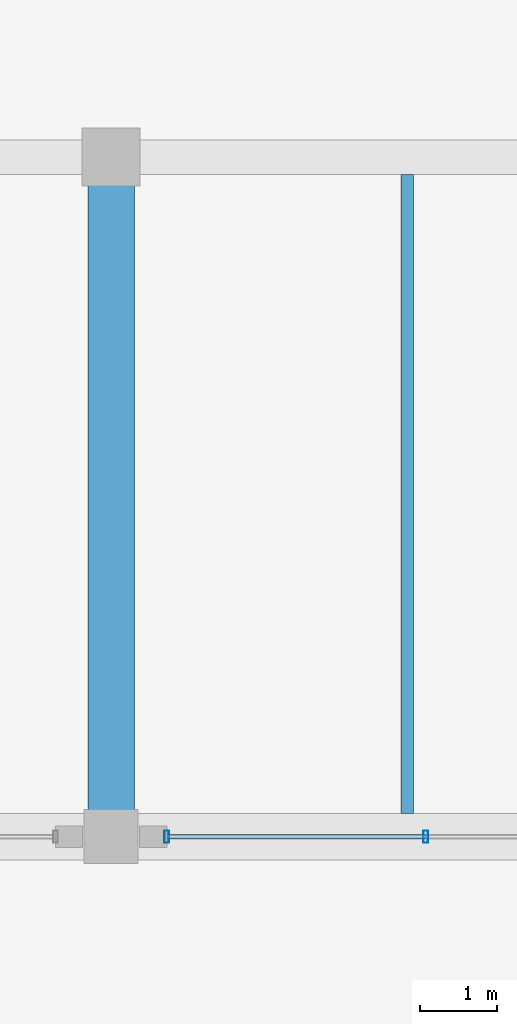
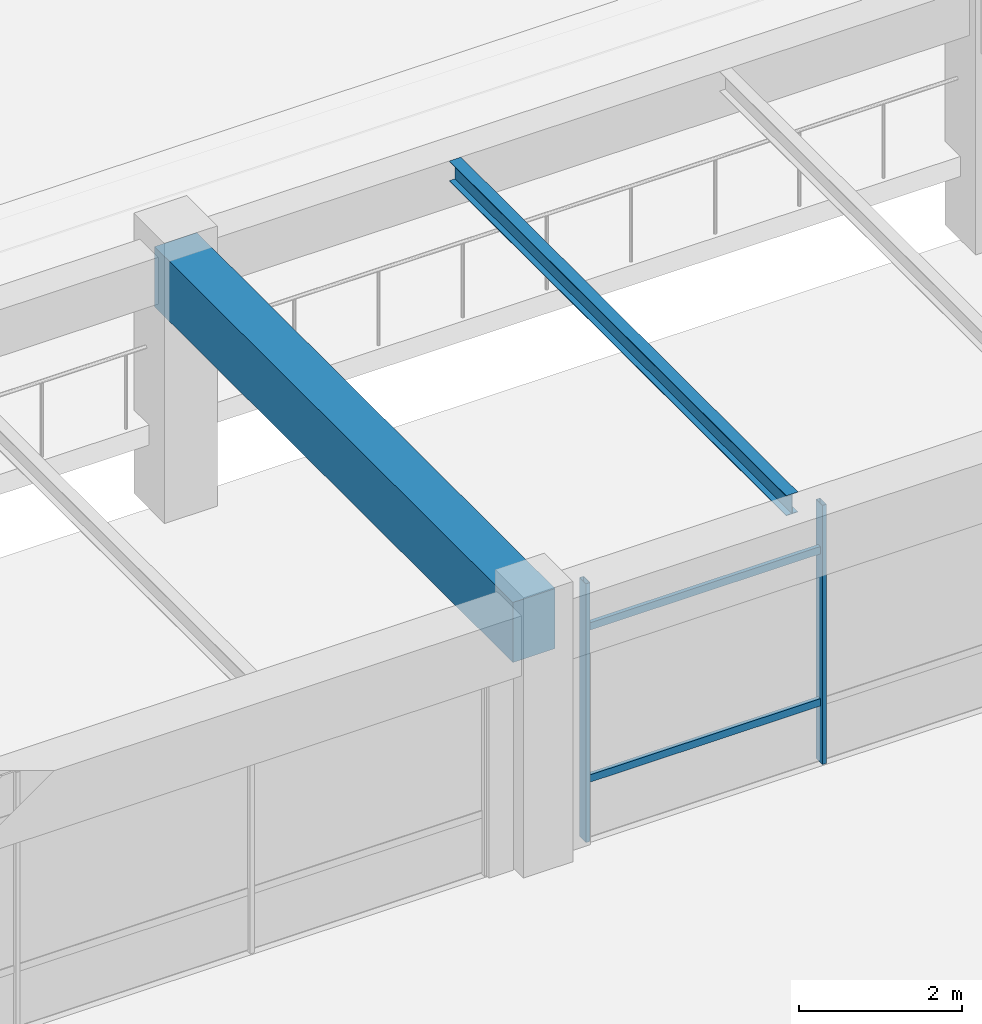
# One storey, part 56 of 109: 4 members, 2 beams, 1 element without a shape of its own.
"""IFC4 building model written with IfcOpenShell, lengths in metres."""

import ifcopenshell
import ifcopenshell.guid

model = None  # the IFC model being written
_history = None  # IfcOwnerHistory: only IFC2X3 demands one
_inside = {}  # id of a spatial element -> (the spatial element, [elements in it])
_under = {}  # id of a project, library or spatial element -> (it, [spatial elements below it])
_declared = {}  # id of a project -> (the project, [libraries it declares])
_typed = {}  # id of a type object -> (the type object, [elements of that type])
_made_of = {}  # id of a material, layer set ... -> (it, [elements and type objects made of it])


def new_model(schema):
    """Start an empty IFC model of exactly this schema.

    Asked for "IFC4X3", IfcOpenShell would pick the latest addendum, in which some entities
    have other attributes; the version numbers below select the first issue.
    IFC2X3 requires an IfcOwnerHistory on every rooted entity: one is made here for all.
    """
    global model, _history
    if schema == "IFC4X3":
        model = ifcopenshell.file(schema_version=(4, 3, 0, 0))
    else:
        model = ifcopenshell.file(schema=schema)
    _inside.clear()
    _under.clear()
    _declared.clear()
    _typed.clear()
    _made_of.clear()
    _history = None
    if model.schema == "IFC2X3":
        org = make("IfcOrganization", Name="unknown")
        user = make(
            "IfcPersonAndOrganization",
            ThePerson=make("IfcPerson", FamilyName="unknown"),
            TheOrganization=org,
        )
        app = make(
            "IfcApplication",
            ApplicationDeveloper=org,
            Version="unknown",
            ApplicationFullName="unknown",
            ApplicationIdentifier="unknown",
        )
        _history = make(
            "IfcOwnerHistory",
            OwningUser=user,
            OwningApplication=app,
            ChangeAction="ADDED",
            CreationDate=0,
        )
    return model


def make(cls, **values):
    """One entity of the class cls with the attributes given. An attribute that is None is left unset."""
    return model.create_entity(
        cls, **{name: value for name, value in values.items() if value is not None}
    )


def rooted(cls, **values):
    """An entity with a GlobalId (a new one), such as an element, a storey or a relation."""
    return make(cls, GlobalId=ifcopenshell.guid.new(), OwnerHistory=_history, **values)


def si_unit(unit_type, name, prefix=None):
    """IfcSIUnit, for example si_unit("LENGTHUNIT", "METRE", prefix="MILLI")."""
    return make("IfcSIUnit", UnitType=unit_type, Prefix=prefix, Name=name)


def assignment(units):
    """IfcUnitAssignment: the units of a project."""
    return None if units is None else make("IfcUnitAssignment", Units=units)


def point(xyz):
    """IfcCartesianPoint."""
    return None if xyz is None else make("IfcCartesianPoint", Coordinates=xyz)


def direction(xyz):
    """IfcDirection."""
    return None if xyz is None else make("IfcDirection", DirectionRatios=xyz)


def frame(location, z_axis=None, x_axis=None):
    """IfcAxis2Placement3D, a coordinate frame: its origin and axes. An axis left out is left unset."""
    return make(
        "IfcAxis2Placement3D",
        Location=point(location),
        Axis=direction(z_axis),
        RefDirection=direction(x_axis),
    )


def frame_2d(location, x_axis=None):
    """IfcAxis2Placement2D, a coordinate frame in the plane: its origin and x axis."""
    return make(
        "IfcAxis2Placement2D", Location=point(location), RefDirection=direction(x_axis)
    )


def origin():
    """The frame at (0, 0, 0) with its axes left unset."""
    return frame((0.0, 0.0, 0.0))


def origin_2d():
    """The frame at (0, 0) in the plane with its x axis left unset."""
    return frame_2d((0.0, 0.0))


def place(relative_to, where):
    """IfcLocalPlacement: puts the frame where relative to a parent placement (None: the world)."""
    return make(
        "IfcLocalPlacement", PlacementRelTo=relative_to, RelativePlacement=where
    )


def context(
    kind, dimensions, precision=None, world=None, true_north=None, identifier=None
):
    """IfcGeometricRepresentationContext, for example the 3D "Model" context."""
    return make(
        "IfcGeometricRepresentationContext",
        ContextIdentifier=identifier,
        ContextType=kind,
        CoordinateSpaceDimension=dimensions,
        Precision=precision,
        WorldCoordinateSystem=world,
        TrueNorth=true_north,
    )


def subcontext(parent, identifier, kind, view, scale=None):
    """IfcGeometricRepresentationSubContext, for example "Body" below "Model"."""
    return make(
        "IfcGeometricRepresentationSubContext",
        ContextIdentifier=identifier,
        ContextType=kind,
        ParentContext=parent,
        TargetScale=scale,
        TargetView=view,
    )


def project(units=None, contexts=None):
    """IfcProject with its units and contexts."""
    return rooted(
        "IfcProject",
        Name="project",
        RepresentationContexts=contexts,
        UnitsInContext=assignment(units),
    )


def spatial(cls, under=None, at=None, **own):
    """A site, building, storey or space (cls), placed at a placement, below another one or the project."""
    s = rooted(cls, ObjectPlacement=at, **own)
    if under is not None:
        _under.setdefault(under.id(), (under, []))[1].append(s)
    return s


def profile(cls, at=None, kind="AREA", **sizes):
    """A parametric profile (cls). Its sizes go by their IFC names, for example OverallWidth=200.0."""
    return make(cls, ProfileType=kind, Position=at, **sizes)


def rectangle(**sizes):
    """IfcRectangleProfileDef."""
    return profile("IfcRectangleProfileDef", **sizes)


def hollow_rectangle(**sizes):
    """IfcRectangleHollowProfileDef."""
    return profile("IfcRectangleHollowProfileDef", **sizes)


def i_section(**sizes):
    """IfcIShapeProfileDef."""
    return profile("IfcIShapeProfileDef", **sizes)


def extrude(swept, where, along, depth):
    """IfcExtrudedAreaSolid: the profile swept, set in the frame where, extruded along a direction by depth."""
    return make(
        "IfcExtrudedAreaSolid",
        SweptArea=swept,
        Position=where,
        ExtrudedDirection=direction(along),
        Depth=depth,
    )


def shape(context_of_items, identifier, shape_type, items):
    """IfcShapeRepresentation: the items that make up one representation, for example the "Body"."""
    return make(
        "IfcShapeRepresentation",
        ContextOfItems=context_of_items,
        RepresentationIdentifier=identifier,
        RepresentationType=shape_type,
        Items=items,
    )


def material(Name=None, Category=None):
    """IfcMaterial."""
    return make("IfcMaterial", Name=Name, Category=Category)


def material_profile(
    of_material, cross_section, Name=None, Category=None, Priority=None
):
    """IfcMaterialProfile: a cross section and its material."""
    return make(
        "IfcMaterialProfile",
        Name=Name,
        Material=of_material,
        Profile=cross_section,
        Priority=Priority,
        Category=Category,
    )


def profile_set(profiles, Name=None, composite=None):
    """IfcMaterialProfileSet."""
    return make(
        "IfcMaterialProfileSet",
        Name=Name,
        MaterialProfiles=profiles,
        CompositeProfile=composite,
    )


def made_of(thing, what):
    """Note that an element or type object is made of a material, layer set ...; save() writes the relation."""
    if what is not None:
        _made_of.setdefault(what.id(), (what, []))[1].append(thing)
    return thing


def type_object(cls, material=None, **own):
    """A type object (cls), such as IfcWallType, which elements share."""
    return made_of(rooted(cls, **own), material)


def element(
    cls,
    number,
    at=None,
    inside=None,
    cuts=None,
    type_object=None,
    material=None,
    context=None,
    identifier="Body",
    shape_type=None,
    held_by="IfcProductDefinitionShape",
    body=None,
    shapes=None,
    **own,
):
    """One element of the class cls, such as IfcWall. Its Tag is "e" and its number.

    at: its placement. inside: the storey or other place that contains it. cuts: it is an
    opening in that element (IfcRelVoidsElement). A single representation is given by context,
    identifier, shape_type and body (its items); several are given by shapes. held_by: the class
    of the entity that holds the representations. save() writes the other relations.
    """
    e = rooted(cls, Tag="e%d" % number, ObjectPlacement=at, **own)
    if body is not None:
        shapes = [shape(context, identifier, shape_type, body)]
    if shapes is not None:
        e.Representation = make(held_by, Representations=shapes)
    if inside is not None:
        _inside.setdefault(inside.id(), (inside, []))[1].append(e)
    if cuts is not None:
        rooted(
            "IfcRelVoidsElement", RelatingBuildingElement=cuts, RelatedOpeningElement=e
        )
    if type_object is not None:
        _typed.setdefault(type_object.id(), (type_object, []))[1].append(e)
    return made_of(e, material)


def aggregate(whole, parts):
    """IfcRelAggregates: a whole, such as a stair, and the parts it consists of."""
    return rooted("IfcRelAggregates", RelatingObject=whole, RelatedObjects=parts)


def save(model, path):
    """Write the relations noted so far, then the file.

    IfcRelAggregates (storeys below a building ...), IfcRelContainedInSpatialStructure (elements
    in a storey), IfcRelDefinesByType, IfcRelAssociatesMaterial and IfcRelDeclares: one each for
    every whole, place, type object, material and project.
    """
    for whole, parts in _under.values():
        aggregate(whole, parts)
    for where, things in _inside.values():
        rooted(
            "IfcRelContainedInSpatialStructure",
            RelatedElements=things,
            RelatingStructure=where,
        )
    for kind, things in _typed.values():
        rooted("IfcRelDefinesByType", RelatedObjects=things, RelatingType=kind)
    for what, things in _made_of.values():
        rooted("IfcRelAssociatesMaterial", RelatedObjects=things, RelatingMaterial=what)
    for by, libraries in _declared.values():
        rooted("IfcRelDeclares", RelatingContext=by, RelatedDefinitions=libraries)
    model.write(path)


model = new_model("IFC4")

# Units and contexts
model_context = context("Model", 3, precision=1e-05, world=origin(), true_north=direction((0.0, 1.0)))
body_context = subcontext(model_context, "Body", "Model", "MODEL_VIEW")
ifc_project = project(units=[si_unit("LENGTHUNIT", "METRE"), si_unit("AREAUNIT", "SQUARE_METRE"), si_unit("VOLUMEUNIT", "CUBIC_METRE"), si_unit("PLANEANGLEUNIT", "RADIAN"), si_unit("MASSUNIT", "GRAM", prefix="KILO")], contexts=[model_context])

# Site, building, storey
site_placement = place(None, origin())
site = spatial("IfcSite", under=ifc_project, at=site_placement, CompositionType="ELEMENT")
building_placement = place(site_placement, origin())
building = spatial("IfcBuilding", under=site, at=building_placement, Name="Ologun Quay Terminus", CompositionType="ELEMENT")
storey_placement = place(building_placement, origin())
storey = spatial("IfcBuildingStorey", under=building, at=storey_placement, Name="L00", CompositionType="ELEMENT", Elevation=0.0)

# Curtain wall, members
ifc_material_1 = material(Name="Aluminium 6063-T6", Category="aluminium")
curtain_wall_type = type_object("IfcCurtainWallType", Name="Forecourt Arcade Curtain Wall 10700x3750", PredefinedType="USERDEFINED", material=ifc_material_1)
curtain_wall_placement = place(storey_placement, origin())
curtain_wall = element("IfcCurtainWall", 1, at=curtain_wall_placement, inside=storey, type_object=curtain_wall_type, Name="CW-03 Curtain Wall CW-L00-008", ObjectType="UNITISED CURTAIN WALL", PredefinedType="USERDEFINED")
ifc_material_2 = material(Name="Aluminium 6063-T6", Category="aluminium")
ifc_material_profile_1 = material_profile(ifc_material_2, hollow_rectangle(XDim=0.06005859375, YDim=0.159912109375, WallThickness=0.00390625, at=origin_2d()), Name="ALU 160x60x4")
ifc_profile_set_1 = profile_set([ifc_material_profile_1], Name="Aluminium 6063-T6")
member_type_1 = type_object("IfcMemberType", Name="Curtain Wall Standard Mullion 160x65", PredefinedType="MULLION", material=ifc_profile_set_1)
member_1_placement = place(storey_placement, frame((138.719970703125, 27.199951171875, 0.0), z_axis=(0.0, 0.0, 1.0), x_axis=(1.0, 0.0, 0.0)))
member_1 = element("IfcMember", 2, at=member_1_placement, type_object=member_type_1, Name="CW-L00-008 Mullion 1", PredefinedType="MULLION", context=body_context, shape_type="SweptSolid", body=[
    extrude(hollow_rectangle(XDim=0.06005859375, YDim=0.159912109375, WallThickness=0.00390625, at=origin_2d()), origin(), (0.0, 0.0, 1.0), 3.8798828125),
])
member_2_placement = place(storey_placement, frame((142.0732421875, 27.199951171875, 0.0), z_axis=(0.0, 0.0, 1.0), x_axis=(1.0, 0.0, 0.0)))
member_2 = element("IfcMember", 3, at=member_2_placement, type_object=member_type_1, Name="CW-L00-008 Mullion 2", PredefinedType="MULLION", context=body_context, shape_type="SweptSolid", body=[
    extrude(hollow_rectangle(XDim=0.06005859375, YDim=0.159912109375, WallThickness=0.00390625, at=origin_2d()), origin(), (0.0, 0.0, 1.0), 3.8798828125),
])
ifc_material_3 = material(Name="Aluminium 6063-T6", Category="aluminium")
ifc_material_profile_2 = material_profile(ifc_material_3, hollow_rectangle(XDim=0.054931640625, YDim=0.110107421875, WallThickness=0.00390625, at=origin_2d()), Name="ALU 110x55x4")
ifc_profile_set_2 = profile_set([ifc_material_profile_2], Name="Aluminium 6063-T6")
member_type_2 = type_object("IfcMemberType", Name="Curtain Wall Standard Transom 110x55", PredefinedType="USERDEFINED", material=ifc_profile_set_2)
member_3_placement = place(storey_placement, frame((138.719970703125, 27.199951171875, 0.89990234375), z_axis=(1.0, 0.0, 0.0), x_axis=(0.0, 1.0, 0.0)))
member_3 = element("IfcMember", 4, at=member_3_placement, type_object=member_type_2, Name="CW-L00-008 Transom B1-1", ObjectType="TRANSOM", PredefinedType="USERDEFINED", context=body_context, shape_type="SweptSolid", body=[
    extrude(hollow_rectangle(XDim=0.054931640625, YDim=0.110107421875, WallThickness=0.00390625, at=origin_2d()), origin(), (0.0, 0.0, 1.0), 3.353271484375),
])
member_4_placement = place(storey_placement, frame((138.719970703125, 27.199951171875, 3.179931640625), z_axis=(1.0, 0.0, 0.0), x_axis=(0.0, 1.0, 0.0)))
member_4 = element("IfcMember", 5, at=member_4_placement, type_object=member_type_2, Name="CW-L00-008 Transom B1-2", ObjectType="TRANSOM", PredefinedType="USERDEFINED", context=body_context, shape_type="SweptSolid", body=[
    extrude(hollow_rectangle(XDim=0.054931640625, YDim=0.110107421875, WallThickness=0.00390625, at=origin_2d()), origin(), (0.0, 0.0, 1.0), 3.353271484375),
])
aggregate(curtain_wall, [member_1, member_2, member_3, member_4])

# Beams
ifc_material_4 = material(Name="Steel S355", Category="steel")
ifc_material_profile_3 = material_profile(ifc_material_4, i_section(OverallWidth=0.1650390625, OverallDepth=0.303466796875, WebThickness=0.006103515625, FlangeThickness=0.01025390625, at=origin_2d()), Name="UKB 305x165x40")
ifc_profile_set_3 = profile_set([ifc_material_profile_3], Name="Steel S355")
beam_type_1 = type_object("IfcBeamType", Name="Mezzanine Steel Joist UKB305", PredefinedType="JOIST", material=ifc_profile_set_3)
beam_1_placement = place(storey_placement, frame((141.833251953125, 27.5, 3.748291015625), z_axis=(0.0, 1.0, 0.0), x_axis=(-1.0, 0.0, 0.0)))
element("IfcBeam", 6, at=beam_1_placement, inside=storey, type_object=beam_type_1, Name="SJ1 Beam 13/D L00", PredefinedType="JOIST", context=body_context, shape_type="SweptSolid", body=[
    extrude(i_section(OverallWidth=0.1650390625, OverallDepth=0.303466796875, WebThickness=0.006103515625, FlangeThickness=0.01025390625, at=origin_2d()), origin(), (0.0, 0.0, 1.0), 8.27490234375),
])
ifc_material_5 = material(Name="Concrete C40/50", Category="concrete")
ifc_material_profile_4 = material_profile(ifc_material_5, rectangle(XDim=0.60009765625, YDim=0.89990234375, at=origin_2d()), Name="RC 600x900")
ifc_profile_set_4 = profile_set([ifc_material_profile_4], Name="Concrete C40/50")
beam_type_2 = type_object("IfcBeamType", Name="Station Frame Girder 600x900", PredefinedType="BEAM", material=ifc_profile_set_4)
beam_2_placement = place(storey_placement, frame((138.0, 27.199951171875, 3.449951171875), z_axis=(0.0, 1.0, 0.0), x_axis=(-1.0, 0.0, 0.0)))
element("IfcBeam", 7, at=beam_2_placement, inside=storey, type_object=beam_type_2, Name="B3 Beam 13/D L00", PredefinedType="BEAM", context=body_context, shape_type="SweptSolid", body=[
    extrude(rectangle(XDim=0.60009765625, YDim=0.89990234375, at=origin_2d()), origin(), (0.0, 0.0, 1.0), 8.800048828125),
])

save(model, "model.ifc")
